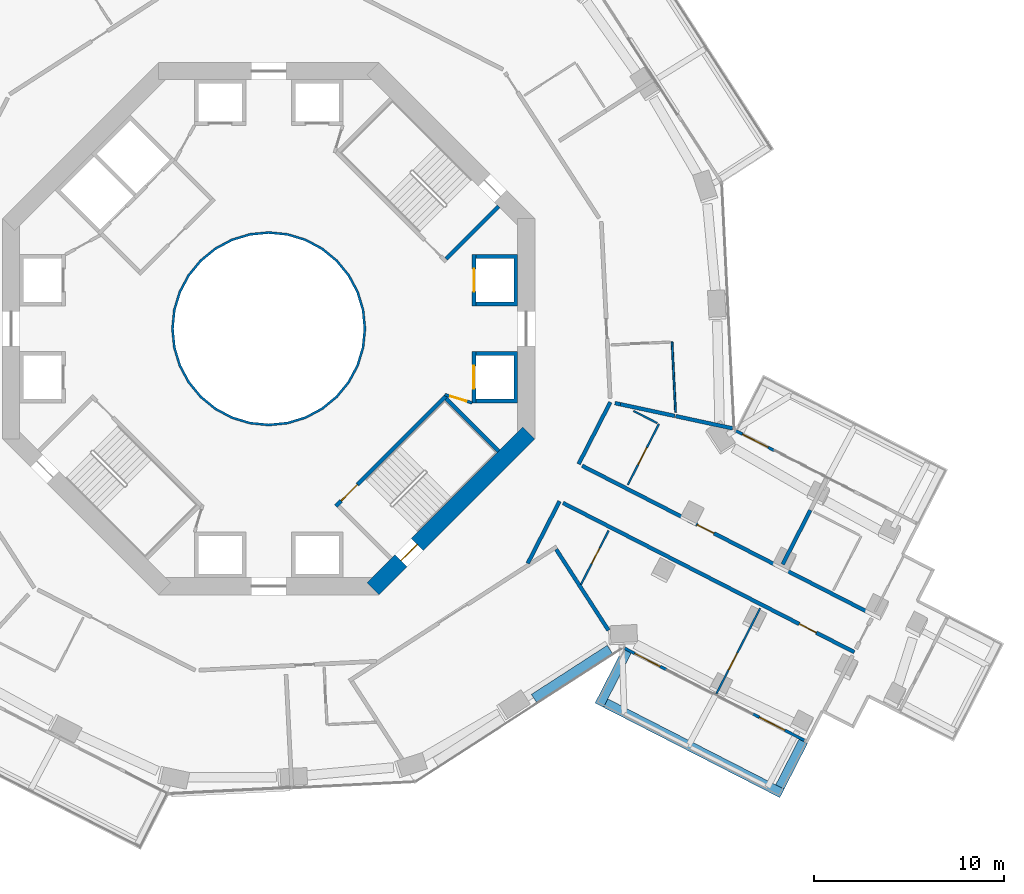
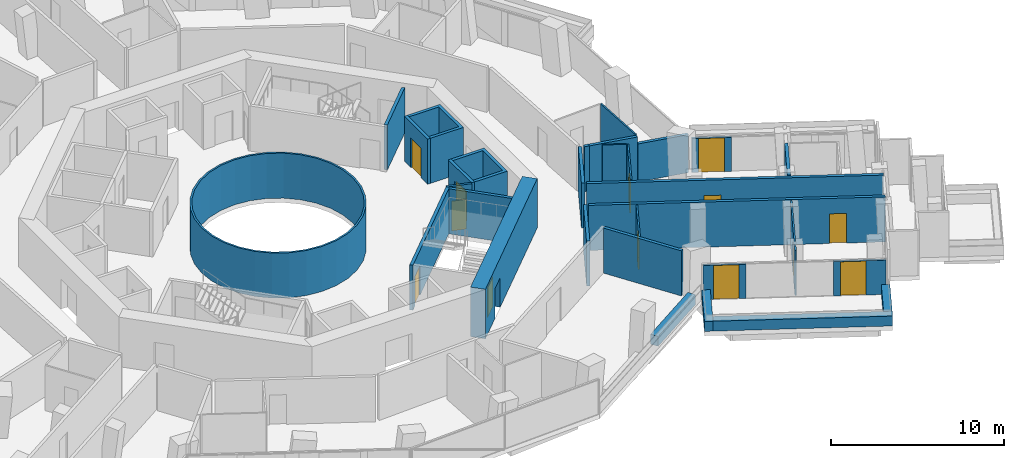
# One storey, part 19 of 25: 31 walls, 13 doors, 13 openings.
"""IFC4 building model written with IfcOpenShell, lengths in metres."""

from ifc_helpers import new_model, si_unit, direction, frame, frame_2d, origin, place, context, subcontext, project, spatial, polyline, rectangle, outline, extrude, material, layer, layer_set, type_object, element, fill, save


model = new_model("IFC4")

# Units and contexts
model_context = context("Model", 3, precision=1e-05, world=origin(), true_north=direction((0.0, 1.0)))
body_context = subcontext(model_context, "Body", "Model", "MODEL_VIEW")
ifc_project = project(units=[si_unit("LENGTHUNIT", "METRE"), si_unit("AREAUNIT", "SQUARE_METRE"), si_unit("VOLUMEUNIT", "CUBIC_METRE"), si_unit("PLANEANGLEUNIT", "RADIAN"), si_unit("MASSUNIT", "GRAM", prefix="KILO")], contexts=[model_context])

# Site, building, storey
site_placement = place(None, origin())
site = spatial("IfcSite", under=ifc_project, at=site_placement, CompositionType="ELEMENT")
building_placement = place(site_placement, origin())
building = spatial("IfcBuilding", under=site, at=building_placement, Name="Verdalira Terraces Hotel", CompositionType="ELEMENT")
storey_placement = place(building_placement, frame((0.0, 0.0, 46.0)))
storey = spatial("IfcBuildingStorey", under=building, at=storey_placement, Name="L09", CompositionType="ELEMENT", Elevation=46.0)

# Walls
ifc_material_1 = material(Name="Fire-resisting glass EI 180", Category="glass")
ifc_layer_1 = layer(ifc_material_1, 0.1201171875)
ifc_layer_set_1 = layer_set([ifc_layer_1], Name="Atrium fire screen 120 mm")
wall_type_1 = type_object("IfcWallType", Name="Atrium fire screen 120 mm", PredefinedType="SOLIDWALL", material=ifc_layer_set_1)
wall_1_placement = place(storey_placement, origin())
element("IfcWall", 1, at=wall_1_placement, inside=storey, type_object=wall_type_1, Name="Atrium fire screen", PredefinedType="SOLIDWALL", context=body_context, shape_type="SweptSolid", body=[
    extrude(outline(polyline([(5.021484, -0.998779), (4.730225, -1.959229), (4.25708, -2.844482), (3.620361, -3.620361), (2.844482, -4.25708), (1.959229, -4.730225), (0.998779, -5.021484), (0.0, -5.120117), (-0.998779, -5.021484), (-1.959229, -4.730225), (-2.844482, -4.25708), (-3.620361, -3.620361), (-4.25708, -2.844482), (-4.730225, -1.959229), (-5.021484, -0.998779), (-5.120117, 0.0), (-5.021484, 0.998779), (-4.730225, 1.959229), (-4.25708, 2.844482), (-3.620361, 3.620361), (-2.844482, 4.25708), (-1.959229, 4.730225), (-0.998779, 5.021484), (0.0, 5.120117), (0.998779, 5.021484), (1.959229, 4.730225), (2.844482, 4.25708), (3.620361, 3.620361), (4.25708, 2.844482), (4.730225, 1.959229), (5.021484, 0.998779), (5.120117, 0.0), (5.021484, -0.998779)]), holes=[polyline([(4.903809, 0.975586), (4.619385, 1.91333), (4.157227, 2.777832), (3.5354, 3.5354), (2.777832, 4.157227), (1.91333, 4.619385), (0.975586, 4.903809), (0.0, 5.0), (-0.975586, 4.903809), (-1.91333, 4.619385), (-2.777832, 4.157227), (-3.5354, 3.5354), (-4.157227, 2.777832), (-4.619385, 1.91333), (-4.903809, 0.975586), (-5.0, 0.0), (-4.903809, -0.975586), (-4.619385, -1.91333), (-4.157227, -2.777832), (-3.5354, -3.5354), (-2.777832, -4.157227), (-1.91333, -4.619385), (-0.975586, -4.903809), (0.0, -5.0), (0.975586, -4.903809), (1.91333, -4.619385), (2.777832, -4.157227), (3.5354, -3.5354), (4.157227, -2.777832), (4.619385, -1.91333), (4.903809, -0.975586), (5.0, 0.0), (4.903809, 0.975586)])]), origin(), (0.0, 0.0, 1.0), 3.189941),
])
ifc_material_2 = material(Name="Concrete C40", Category="concrete")
ifc_layer_2 = layer(ifc_material_2, 0.5)
ifc_layer_set_2 = layer_set([ifc_layer_2], Name="Balcony planter trough with tree")
wall_type_2 = type_object("IfcWallType", Name="Balcony planter trough with tree", PredefinedType="SOLIDWALL", material=ifc_layer_set_2)
wall_2_placement = place(storey_placement, frame((18.850098, -16.958496, 0.0), z_axis=(0.0, 0.0, 1.0), x_axis=(-0.455862598, -0.890050162, 0.0)))
element("IfcWall", 2, at=wall_2_placement, inside=storey, type_object=wall_type_2, Name="Balcony planter", PredefinedType="SOLIDWALL", context=body_context, shape_type="SweptSolid", body=[
    extrude(rectangle(XDim=3.198975, YDim=0.5, at=frame_2d((1.599609, 0.0))), origin(), (0.0, 0.0, 1.0), 0.699951),
])
wall_3_placement = place(storey_placement, frame((17.728516, -19.697266, 0.0), z_axis=(0.0, 0.0, 1.0), x_axis=(0.890055422, -0.455852329, 0.0)))
element("IfcWall", 3, at=wall_3_placement, inside=storey, type_object=wall_type_2, Name="Balcony planter", PredefinedType="SOLIDWALL", context=body_context, shape_type="SweptSolid", body=[
    extrude(rectangle(XDim=10.419922, YDim=0.5, at=frame_2d((5.209961, 0.0))), origin(), (0.0, 0.0, 1.0), 0.699951),
])
wall_4_placement = place(storey_placement, frame((26.894287, -24.11084, 0.0), z_axis=(0.0, 0.0, 1.0), x_axis=(0.45587587, 0.890043365, 0.0)))
element("IfcWall", 4, at=wall_4_placement, inside=storey, type_object=wall_type_2, Name="Balcony planter", PredefinedType="SOLIDWALL", context=body_context, shape_type="SweptSolid", body=[
    extrude(rectangle(XDim=2.699219, YDim=0.5, at=frame_2d((1.349609, 0.0))), origin(), (0.0, 0.0, 1.0), 0.699951),
])

# Wall, opening, door
ifc_material_3 = material(Name="Moisture-resistant gypsum board partition")
ifc_layer_3 = layer(ifc_material_3, 0.10009765625)
ifc_layer_set_3 = layer_set([ifc_layer_3], Name="Bathroom partition 100 mm")
wall_type_3 = type_object("IfcWallType", Name="Bathroom partition 100 mm", PredefinedType="PARTITIONING", material=ifc_layer_set_3)
wall_5_placement = place(storey_placement, frame((16.425049, -13.467285, 0.0), z_axis=(0.0, 0.0, 1.0), x_axis=(0.455831634, 0.890066021, 0.0)))
wall_5 = element("IfcWall", 5, at=wall_5_placement, inside=storey, type_object=wall_type_3, Name="Bathroom partition", PredefinedType="PARTITIONING", context=body_context, shape_type="SweptSolid", body=[
    extrude(rectangle(XDim=3.199219, YDim=0.100098, at=frame_2d((1.599609, 0.0))), origin(), (0.0, 0.0, 1.0), 3.189941),
])
opening_1_placement = place(wall_5_placement, frame((1.25, 0.0, 0.0)))
opening_1 = element("IfcOpeningElement", 6, at=opening_1_placement, cuts=wall_5, Name="Opening L09-123", PredefinedType="OPENING", context=body_context, shape_type="SweptSolid", body=[
    extrude(rectangle(XDim=0.899902, YDim=2.100098, at=frame_2d((0.449951, 1.050049))), frame((0.0, 0.060059, 0.0), z_axis=(0.0, -1.0, 0.0), x_axis=(1.0, 0.0, 0.0)), (0.0, 0.0, 1.0), 0.120117),
])
ifc_material_4 = material(Name="Timber door", Category="wood")
door_type_1 = type_object("IfcDoorType", Name="Bathroom door 900 x 2100", OperationType="NOTDEFINED", PredefinedType="DOOR", material=ifc_material_4)
door_1_placement = place(opening_1_placement, origin())
door_1 = element("IfcDoor", 7, at=door_1_placement, inside=storey, type_object=door_type_1, Name="Bathroom door 0911", OperationType="SINGLE_SWING_LEFT", OverallHeight=2.10009765625, OverallWidth=0.89990234375, PredefinedType="DOOR", context=body_context, shape_type="SweptSolid", body=[
    extrude(rectangle(XDim=0.899902, YDim=2.100098, at=frame_2d((0.449951, 1.050049))), frame((0.0, 0.024902, 0.0), z_axis=(0.0, -1.0, 0.0), x_axis=(1.0, 0.0, 0.0)), (0.0, 0.0, 1.0), 0.050049),
])
fill(opening_1, door_1)

wall_6_placement = place(storey_placement, frame((18.890625, -8.2146, 0.0), z_axis=(0.0, 0.0, 1.0), x_axis=(0.455873249, 0.890044707, 0.0)))
wall_6 = element("IfcWall", 8, at=wall_6_placement, inside=storey, type_object=wall_type_3, Name="Bathroom partition", PredefinedType="PARTITIONING", context=body_context, shape_type="SweptSolid", body=[
    extrude(rectangle(XDim=3.599854, YDim=0.100098, at=frame_2d((1.799805, 0.0))), origin(), (0.0, 0.0, 1.0), 3.189941),
])
opening_2_placement = place(wall_6_placement, frame((1.199951, 0.0, 0.0)))
opening_2 = element("IfcOpeningElement", 9, at=opening_2_placement, cuts=wall_6, Name="Opening L09-128", PredefinedType="OPENING", context=body_context, shape_type="SweptSolid", body=[
    extrude(rectangle(XDim=1.0, YDim=2.100098, at=frame_2d((0.5, 1.050049))), frame((0.0, 0.060059, 0.0), z_axis=(0.0, -1.0, 0.0), x_axis=(1.0, 0.0, 0.0)), (0.0, 0.0, 1.0), 0.120117),
])
ifc_material_5 = material(Name="Timber door", Category="wood")
door_type_2 = type_object("IfcDoorType", Name="Bathroom door 1000 x 2100", OperationType="NOTDEFINED", PredefinedType="DOOR", material=ifc_material_5)
door_2_placement = place(opening_2_placement, origin())
door_2 = element("IfcDoor", 10, at=door_2_placement, inside=storey, type_object=door_type_2, Name="Bathroom door 0913", OperationType="SINGLE_SWING_RIGHT", OverallHeight=2.10009765625, OverallWidth=1.0, PredefinedType="DOOR", context=body_context, shape_type="SweptSolid", body=[
    extrude(rectangle(XDim=1.0, YDim=2.100098, at=frame_2d((0.5, 1.050049))), frame((0.0, 0.024902, 0.0), z_axis=(0.0, -1.0, 0.0), x_axis=(1.0, 0.0, 0.0)), (0.0, 0.0, 1.0), 0.050049),
])
fill(opening_2, door_2)

# Walls
wall_7_placement = place(storey_placement, frame((19.197998, -4.327148, 0.0), z_axis=(0.0, 0.0, 1.0), x_axis=(0.889984617, -0.455990549, 0.0)))
element("IfcWall", 11, at=wall_7_placement, inside=storey, type_object=wall_type_3, Name="Bathroom partition", PredefinedType="PARTITIONING", context=body_context, shape_type="SweptSolid", body=[
    extrude(rectangle(XDim=1.398438, YDim=0.100098, at=frame_2d((0.699219, 0.0))), origin(), (0.0, 0.0, 1.0), 3.189941),
])
wall_8_placement = place(storey_placement, frame((21.219971, -0.693115, 0.0), z_axis=(0.0, 0.0, 1.0), x_axis=(0.050226916, -0.998737832, 0.0)))
element("IfcWall", 12, at=wall_8_placement, inside=storey, type_object=wall_type_3, Name="Bathroom partition", PredefinedType="PARTITIONING", context=body_context, shape_type="SweptSolid", body=[
    extrude(rectangle(XDim=3.703857, YDim=0.100098, at=frame_2d((1.852051, 0.0))), origin(), (0.0, 0.0, 1.0), 3.189941),
])

# Wall, opening, door
wall_9_placement = place(storey_placement, frame((23.556396, -19.199219, 0.0), z_axis=(0.0, 0.0, 1.0), x_axis=(0.455836638, 0.890063458, 0.0)))
wall_9 = element("IfcWall", 13, at=wall_9_placement, inside=storey, type_object=wall_type_3, Name="Bathroom partition", PredefinedType="PARTITIONING", context=body_context, shape_type="SweptSolid", body=[
    extrude(rectangle(XDim=5.050049, YDim=0.100098, at=frame_2d((2.524902, 0.0))), origin(), (0.0, 0.0, 1.0), 3.189941),
])
opening_3_placement = place(wall_9_placement, frame((1.399902, 0.0, 0.0)))
opening_3 = element("IfcOpeningElement", 14, at=opening_3_placement, cuts=wall_9, Name="Opening L09-122", PredefinedType="OPENING", context=body_context, shape_type="SweptSolid", body=[
    extrude(rectangle(XDim=1.0, YDim=2.100098, at=frame_2d((0.5, 1.050049))), frame((0.0, 0.060059, 0.0), z_axis=(0.0, -1.0, 0.0), x_axis=(1.0, 0.0, 0.0)), (0.0, 0.0, 1.0), 0.120117),
])
ifc_material_6 = material(Name="Timber door", Category="wood")
door_type_3 = type_object("IfcDoorType", Name="Suite internal door 1000 x 2100", OperationType="NOTDEFINED", PredefinedType="DOOR", material=ifc_material_6)
door_3_placement = place(opening_3_placement, origin())
door_3 = element("IfcDoor", 15, at=door_3_placement, inside=storey, type_object=door_type_3, Name="Suite internal door 0911", OperationType="SINGLE_SWING_LEFT", OverallHeight=2.10009765625, OverallWidth=1.0, PredefinedType="DOOR", context=body_context, shape_type="SweptSolid", body=[
    extrude(rectangle(XDim=1.0, YDim=2.100098, at=frame_2d((0.5, 1.050049))), frame((0.0, 0.024902, 0.0), z_axis=(0.0, -1.0, 0.0), x_axis=(1.0, 0.0, 0.0)), (0.0, 0.0, 1.0), 0.050049),
])
fill(opening_3, door_3)

# Wall
ifc_material_7 = material(Name="Concrete C50", Category="concrete")
ifc_layer_4 = layer(ifc_material_7, 0.199951171875)
ifc_layer_set_4 = layer_set([ifc_layer_4], Name="Core RC wall 200 C50")
wall_type_4 = type_object("IfcWallType", Name="Core RC wall 200 C50", PredefinedType="SOLIDWALL", material=ifc_layer_set_4)
wall_10_placement = place(storey_placement, origin())
element("IfcWall", 16, at=wall_10_placement, inside=storey, type_object=wall_type_4, Name="L09 shaft wall E1", PredefinedType="SOLIDWALL", context=body_context, shape_type="SweptSolid", body=[
    extrude(outline(polyline([(13.100098, -3.899902), (10.899902, -3.899902), (10.899902, -3.699951), (12.899902, -3.699951), (12.899902, -1.399902), (10.899902, -1.399902), (10.899902, -1.199951), (13.100098, -1.199951), (13.100098, -3.899902)])), origin(), (0.0, 0.0, 1.0), 3.189941),
])

# Wall, opening, door
wall_11_placement = place(storey_placement, frame((10.800049, -1.199951, 0.0), z_axis=(0.0, 0.0, 1.0), x_axis=(0.0, -1.0, 0.0)))
wall_11 = element("IfcWall", 17, at=wall_11_placement, inside=storey, type_object=wall_type_4, Name="L09 shaft front wall E1", PredefinedType="SOLIDWALL", context=body_context, shape_type="SweptSolid", body=[
    extrude(rectangle(XDim=2.699951, YDim=0.199951, at=frame_2d((1.350098, 0.0))), origin(), (0.0, 0.0, 1.0), 3.189941),
])
opening_4_placement = place(wall_11_placement, frame((0.75, 0.0, 0.0)))
opening_4 = element("IfcOpeningElement", 18, at=opening_4_placement, cuts=wall_11, Name="Opening LD-L09-801", PredefinedType="OPENING", context=body_context, shape_type="SweptSolid", body=[
    extrude(rectangle(XDim=1.199951, YDim=2.100098, at=frame_2d((0.600098, 1.050049))), frame((0.0, 0.109863, 0.0), z_axis=(0.0, -1.0, 0.0), x_axis=(1.0, 0.0, 0.0)), (0.0, 0.0, 1.0), 0.219971),
])
ifc_material_8 = material(Name="Stainless steel", Category="steel")
door_type_4 = type_object("IfcDoorType", Name="Landing door 1200 x 2100", OperationType="NOTDEFINED", PredefinedType="DOOR", material=ifc_material_8)
door_4_placement = place(opening_4_placement, origin())
door_4 = element("IfcDoor", 19, at=door_4_placement, inside=storey, type_object=door_type_4, Name="Lift landing door LR1 L09", OperationType="DOUBLE_DOOR_SLIDING", OverallHeight=2.10009765625, OverallWidth=1.199951171875, PredefinedType="DOOR", context=body_context, shape_type="SweptSolid", body=[
    extrude(rectangle(XDim=1.199951, YDim=2.100098, at=frame_2d((0.600098, 1.050049))), frame((0.0, 0.024902, 0.0), z_axis=(0.0, -1.0, 0.0), x_axis=(1.0, 0.0, 0.0)), (0.0, 0.0, 1.0), 0.050049),
])
fill(opening_4, door_4)

# Wall
wall_12_placement = place(storey_placement, origin())
element("IfcWall", 20, at=wall_12_placement, inside=storey, type_object=wall_type_4, Name="L09 shaft wall E2", PredefinedType="SOLIDWALL", context=body_context, shape_type="SweptSolid", body=[
    extrude(outline(polyline([(13.100098, 3.899902), (13.100098, 1.199951), (10.899902, 1.199951), (10.899902, 1.399902), (12.899902, 1.399902), (12.899902, 3.699951), (10.899902, 3.699951), (10.899902, 3.899902), (13.100098, 3.899902)])), origin(), (0.0, 0.0, 1.0), 3.189941),
])

# Wall, opening, door
wall_13_placement = place(storey_placement, frame((10.800049, 1.199951, 0.0), z_axis=(0.0, 0.0, 1.0), x_axis=(0.0, 1.0, 0.0)))
wall_13 = element("IfcWall", 21, at=wall_13_placement, inside=storey, type_object=wall_type_4, Name="L09 shaft front wall E2", PredefinedType="SOLIDWALL", context=body_context, shape_type="SweptSolid", body=[
    extrude(rectangle(XDim=2.699951, YDim=0.199951, at=frame_2d((1.350098, 0.0))), origin(), (0.0, 0.0, 1.0), 3.189941),
])
opening_5_placement = place(wall_13_placement, frame((0.75, 0.0, 0.0)))
opening_5 = element("IfcOpeningElement", 22, at=opening_5_placement, cuts=wall_13, Name="Opening LD-L09-802", PredefinedType="OPENING", context=body_context, shape_type="SweptSolid", body=[
    extrude(rectangle(XDim=1.199951, YDim=2.100098, at=frame_2d((0.600098, 1.050049))), frame((0.0, 0.109863, 0.0), z_axis=(0.0, -1.0, 0.0), x_axis=(1.0, 0.0, 0.0)), (0.0, 0.0, 1.0), 0.219971),
])
door_5_placement = place(opening_5_placement, origin())
door_5 = element("IfcDoor", 23, at=door_5_placement, inside=storey, type_object=door_type_4, Name="Lift landing door LR2 L09", OperationType="DOUBLE_DOOR_SLIDING", OverallHeight=2.10009765625, OverallWidth=1.199951171875, PredefinedType="DOOR", context=body_context, shape_type="SweptSolid", body=[
    extrude(rectangle(XDim=1.199951, YDim=2.100098, at=frame_2d((0.600098, 1.050049))), frame((0.0, 0.024902, 0.0), z_axis=(0.0, -1.0, 0.0), x_axis=(1.0, 0.0, 0.0)), (0.0, 0.0, 1.0), 0.050049),
])
fill(opening_5, door_5)

# Wall
wall_14_placement = place(storey_placement, frame((9.33374, 3.677002, 0.0), z_axis=(0.0, 0.0, 1.0), x_axis=(0.707106781, 0.707106781, 0.0)))
element("IfcWall", 24, at=wall_14_placement, inside=storey, type_object=wall_type_4, Name="L09 stair ST1 end wall 1", PredefinedType="SOLIDWALL", context=body_context, shape_type="SweptSolid", body=[
    extrude(rectangle(XDim=3.900146, YDim=0.199951, at=frame_2d((1.950195, 0.0))), origin(), (0.0, 0.0, 1.0), 3.189941),
])

# Wall, opening, door
wall_15_placement = place(storey_placement, frame((9.33374, -3.5354, 0.0), z_axis=(0.0, 0.0, 1.0), x_axis=(-0.707106781, -0.707106781, 0.0)))
wall_15 = element("IfcWall", 25, at=wall_15_placement, inside=storey, type_object=wall_type_4, Name="L09 stair ST3 front wall", PredefinedType="SOLIDWALL", context=body_context, shape_type="SweptSolid", body=[
    extrude(rectangle(XDim=8.200195, YDim=0.199951, at=frame_2d((4.100098, 0.0))), origin(), (0.0, 0.0, 1.0), 3.189941),
])
opening_6_placement = place(wall_15_placement, frame((6.600098, 0.0, 0.0)))
opening_6 = element("IfcOpeningElement", 26, at=opening_6_placement, cuts=wall_15, Name="Opening L09-811", PredefinedType="OPENING", context=body_context, shape_type="SweptSolid", body=[
    extrude(rectangle(XDim=1.199951, YDim=2.100098, at=frame_2d((0.600098, 1.050049))), frame((0.0, 0.109863, 0.0), z_axis=(0.0, -1.0, 0.0), x_axis=(1.0, 0.0, 0.0)), (0.0, 0.0, 1.0), 0.219971),
])
ifc_material_9 = material(Name="Steel fire door", Category="steel")
door_type_5 = type_object("IfcDoorType", Name="Stair door 1200 x 2100", OperationType="NOTDEFINED", PredefinedType="DOOR", material=ifc_material_9)
door_6_placement = place(opening_6_placement, origin())
door_6 = element("IfcDoor", 27, at=door_6_placement, inside=storey, type_object=door_type_5, Name="Stair door ST3 L09", OperationType="SINGLE_SWING_RIGHT", OverallHeight=2.10009765625, OverallWidth=1.199951171875, PredefinedType="DOOR", context=body_context, shape_type="SweptSolid", body=[
    extrude(rectangle(XDim=1.199951, YDim=2.100098, at=frame_2d((0.600098, 1.050049))), frame((0.0, 0.024902, 0.0), z_axis=(0.0, -1.0, 0.0), x_axis=(1.0, 0.0, 0.0)), (0.0, 0.0, 1.0), 0.050049),
])
fill(opening_6, door_6)

# Wall
wall_16_placement = place(storey_placement, frame((9.33374, -3.677002, 0.0), z_axis=(0.0, 0.0, 1.0), x_axis=(0.707106781, -0.707106781, 0.0)))
element("IfcWall", 28, at=wall_16_placement, inside=storey, type_object=wall_type_4, Name="L09 stair ST3 end wall 2", PredefinedType="SOLIDWALL", context=body_context, shape_type="SweptSolid", body=[
    extrude(rectangle(XDim=3.900146, YDim=0.199951, at=frame_2d((1.950195, 0.0))), origin(), (0.0, 0.0, 1.0), 3.189941),
])

# Wall, opening, door
ifc_material_10 = material(Name="Gypsum board partition")
ifc_layer_5 = layer(ifc_material_10, 0.14990234375)
ifc_layer_set_5 = layer_set([ifc_layer_5], Name="Core partition 150 mm")
wall_type_5 = type_object("IfcWallType", Name="Core partition 150 mm", PredefinedType="PARTITIONING", material=ifc_layer_set_5)
wall_17_placement = place(storey_placement, frame((9.263184, -3.464844, 0.0), z_axis=(0.0, 0.0, 1.0), x_axis=(0.957084567, -0.289808785, 0.0)))
wall_17 = element("IfcWall", 29, at=wall_17_placement, inside=storey, type_object=wall_type_5, Name="Room partition L09", PredefinedType="PARTITIONING", context=body_context, shape_type="SweptSolid", body=[
    extrude(rectangle(XDim=1.501221, YDim=0.149902, at=frame_2d((0.750488, 0.0))), origin(), (0.0, 0.0, 1.0), 3.189941),
])
opening_7_placement = place(wall_17_placement, frame((0.300781, 0.0, 0.0)))
opening_7 = element("IfcOpeningElement", 30, at=opening_7_placement, cuts=wall_17, Name="Opening L09-824", PredefinedType="OPENING", context=body_context, shape_type="SweptSolid", body=[
    extrude(rectangle(XDim=0.899902, YDim=2.100098, at=frame_2d((0.449951, 1.050049))), frame((0.0, 0.084961, 0.0), z_axis=(0.0, -1.0, 0.0), x_axis=(1.0, 0.0, 0.0)), (0.0, 0.0, 1.0), 0.169922),
])
ifc_material_11 = material(Name="Steel fire door", Category="steel")
door_type_6 = type_object("IfcDoorType", Name="Core room door 900 x 2100", OperationType="NOTDEFINED", PredefinedType="DOOR", material=ifc_material_11)
door_7_placement = place(opening_7_placement, origin())
door_7 = element("IfcDoor", 31, at=door_7_placement, inside=storey, type_object=door_type_6, Name="Door L09 room7", OperationType="SINGLE_SWING_LEFT", OverallHeight=2.10009765625, OverallWidth=0.89990234375, PredefinedType="DOOR", context=body_context, shape_type="SweptSolid", body=[
    extrude(rectangle(XDim=0.899902, YDim=2.100098, at=frame_2d((0.449951, 1.050049))), frame((0.0, 0.024902, 0.0), z_axis=(0.0, -1.0, 0.0), x_axis=(1.0, 0.0, 0.0)), (0.0, 0.0, 1.0), 0.050049),
])
fill(opening_7, door_7)

ifc_material_12 = material(Name="Concrete C70", Category="concrete")
ifc_layer_6 = layer(ifc_material_12, 0.89990234375)
ifc_layer_set_6 = layer_set([ifc_layer_6], Name="Core wall 900 C70")
wall_type_6 = type_object("IfcWallType", Name="Core wall 900 C70", PredefinedType="SHEAR", material=ifc_layer_set_6)
wall_18_placement = place(storey_placement, frame((5.480713, -13.681885, 0.0), z_axis=(0.0, 0.0, 1.0), x_axis=(0.707106781, 0.707106781, 0.0)))
wall_18 = element("IfcWall", 32, at=wall_18_placement, inside=storey, type_object=wall_type_6, Name="Core wall CW-L09-8", PredefinedType="SHEAR", context=body_context, shape_type="SweptSolid", body=[
    extrude(rectangle(XDim=11.598145, YDim=0.899902, at=frame_2d((5.799072, 0.0))), origin(), (0.0, 0.0, 1.0), 3.5),
])
opening_8_placement = place(wall_18_placement, frame((2.099121, 0.0, 0.0)))
opening_8 = element("IfcOpeningElement", 33, at=opening_8_placement, cuts=wall_18, Name="Opening L09-818", PredefinedType="OPENING", context=body_context, shape_type="SweptSolid", body=[
    extrude(rectangle(XDim=1.199951, YDim=2.100098, at=frame_2d((0.600098, 1.050049))), frame((0.0, 0.459961, 0.0), z_axis=(0.0, -1.0, 0.0), x_axis=(1.0, 0.0, 0.0)), (0.0, 0.0, 1.0), 0.919922),
])
door_8_placement = place(opening_8_placement, origin())
door_8 = element("IfcDoor", 34, at=door_8_placement, inside=storey, type_object=door_type_5, Name="Stair exit door ST3 L09", OperationType="SINGLE_SWING_LEFT", OverallHeight=2.10009765625, OverallWidth=1.199951171875, PredefinedType="DOOR", context=body_context, shape_type="SweptSolid", body=[
    extrude(rectangle(XDim=1.199951, YDim=2.100098, at=frame_2d((0.600098, 1.050049))), frame((0.0, 0.024902, 0.0), z_axis=(0.0, -1.0, 0.0), x_axis=(1.0, 0.0, 0.0)), (0.0, 0.0, 1.0), 0.050049),
])
fill(opening_8, door_8)

# Walls
ifc_material_13 = material(Name="Fire-rated gypsum board wall")
ifc_layer_7 = layer(ifc_material_13, 0.199951171875)
ifc_layer_set_7 = layer_set([ifc_layer_7], Name="Demising wall 200 mm")
wall_type_7 = type_object("IfcWallType", Name="Demising wall 200 mm", PredefinedType="SOLIDWALL", material=ifc_layer_set_7)
wall_19_placement = place(storey_placement, frame((18.21582, -3.911865, 0.0), z_axis=(0.0, 0.0, 1.0), x_axis=(0.977671617, -0.210138547, 0.0)))
element("IfcWall", 35, at=wall_19_placement, inside=storey, type_object=wall_type_7, Name="Demising wall", PredefinedType="SOLIDWALL", context=body_context, shape_type="SweptSolid", body=[
    extrude(rectangle(XDim=0.301025, YDim=0.199951, at=frame_2d((0.150391, 0.0))), origin(), (0.0, 0.0, 1.0), 3.189941),
])
wall_20_placement = place(storey_placement, frame((18.51001, -3.975098, 0.0), z_axis=(0.0, 0.0, 1.0), x_axis=(0.977711921, -0.209950946, 0.0)))
element("IfcWall", 36, at=wall_20_placement, inside=storey, type_object=wall_type_7, Name="Demising wall", PredefinedType="SOLIDWALL", context=body_context, shape_type="SweptSolid", body=[
    extrude(rectangle(XDim=2.924561, YDim=0.199951, at=frame_2d((1.462402, 0.0))), origin(), (0.0, 0.0, 1.0), 3.189941),
])
wall_21_placement = place(storey_placement, frame((27.043701, -12.390137, 0.0), z_axis=(0.0, 0.0, 1.0), x_axis=(0.455799211, 0.890082625, 0.0)))
element("IfcWall", 37, at=wall_21_placement, inside=storey, type_object=wall_type_7, Name="Demising wall", PredefinedType="SOLIDWALL", context=body_context, shape_type="SweptSolid", body=[
    extrude(rectangle(XDim=3.199951, YDim=0.199951, at=frame_2d((1.600098, 0.0))), origin(), (0.0, 0.0, 1.0), 3.189941),
])
ifc_material_14 = material(Name="Fire-rated gypsum board wall")
ifc_layer_8 = layer(ifc_material_14, 0.199951171875)
ifc_layer_set_8 = layer_set([ifc_layer_8], Name="Demising wall 200 mm to beam soffit")
wall_type_8 = type_object("IfcWallType", Name="Demising wall 200 mm to beam soffit", PredefinedType="SOLIDWALL", material=ifc_layer_set_8)
wall_22_placement = place(storey_placement, frame((21.414307, -4.598633, 0.0), z_axis=(0.0, 0.0, 1.0), x_axis=(0.977710131, -0.209959283, 0.0)))
element("IfcWall", 38, at=wall_22_placement, inside=storey, type_object=wall_type_8, Name="Demising wall", PredefinedType="SOLIDWALL", context=body_context, shape_type="SweptSolid", body=[
    extrude(rectangle(XDim=3.061768, YDim=0.199951, at=frame_2d((1.530762, 0.0))), origin(), (0.0, 0.0, 1.0), 2.689941),
])
ifc_material_15 = material(Name="Fire-rated gypsum board wall")
ifc_layer_9 = layer(ifc_material_15, 0.199951171875)
ifc_layer_set_9 = layer_set([ifc_layer_9], Name="Guest corridor wall 200 mm")
wall_type_9 = type_object("IfcWallType", Name="Guest corridor wall 200 mm", PredefinedType="SOLIDWALL", material=ifc_layer_set_9)
wall_23_placement = place(storey_placement, frame((13.627686, -12.348145, 0.0), z_axis=(0.0, 0.0, 1.0), x_axis=(0.455847656, 0.890057815, 0.0)))
element("IfcWall", 39, at=wall_23_placement, inside=storey, type_object=wall_type_9, Name="Guest corridor wall", PredefinedType="SOLIDWALL", context=body_context, shape_type="SweptSolid", body=[
    extrude(rectangle(XDim=3.678223, YDim=0.199951, at=frame_2d((1.839111, 0.0))), origin(), (0.0, 0.0, 1.0), 3.189941),
])
wall_24_placement = place(storey_placement, frame((16.307373, -7.116211, 0.0), z_axis=(0.0, 0.0, 1.0), x_axis=(0.455868133, 0.890047327, 0.0)))
element("IfcWall", 40, at=wall_24_placement, inside=storey, type_object=wall_type_9, Name="Guest corridor wall", PredefinedType="SOLIDWALL", context=body_context, shape_type="SweptSolid", body=[
    extrude(rectangle(XDim=3.658447, YDim=0.199951, at=frame_2d((1.829102, 0.0))), origin(), (0.0, 0.0, 1.0), 3.189941),
])

# Wall, opening, door
wall_25_placement = place(storey_placement, frame((30.809326, -17.015381, 0.0), z_axis=(0.0, 0.0, 1.0), x_axis=(-0.890055431, 0.455852312, 0.0)))
wall_25 = element("IfcWall", 41, at=wall_25_placement, inside=storey, type_object=wall_type_9, Name="Guest corridor wall", PredefinedType="SOLIDWALL", context=body_context, shape_type="SweptSolid", body=[
    extrude(rectangle(XDim=17.220215, YDim=0.199951, at=frame_2d((8.610107, 0.0))), origin(), (0.0, 0.0, 1.0), 3.189941),
])
opening_9_placement = place(wall_25_placement, frame((2.25, 0.0, 0.0)))
opening_9 = element("IfcOpeningElement", 42, at=opening_9_placement, cuts=wall_25, Name="Opening L09-121", PredefinedType="OPENING", context=body_context, shape_type="SweptSolid", body=[
    extrude(rectangle(XDim=1.0, YDim=2.100098, at=frame_2d((0.5, 1.050049))), frame((0.0, 0.109863, 0.0), z_axis=(0.0, -1.0, 0.0), x_axis=(1.0, 0.0, 0.0)), (0.0, 0.0, 1.0), 0.219971),
])
ifc_material_16 = material(Name="Timber fire door", Category="wood")
door_type_7 = type_object("IfcDoorType", Name="Guest entry door 1000 x 2100", OperationType="NOTDEFINED", PredefinedType="DOOR", material=ifc_material_16)
door_9_placement = place(opening_9_placement, origin())
door_9 = element("IfcDoor", 43, at=door_9_placement, inside=storey, type_object=door_type_7, Name="Guest entry door 0911", OperationType="SINGLE_SWING_LEFT", OverallHeight=2.10009765625, OverallWidth=1.0, PredefinedType="DOOR", context=body_context, shape_type="SweptSolid", body=[
    extrude(rectangle(XDim=1.0, YDim=2.100098, at=frame_2d((0.5, 1.050049))), frame((0.0, 0.024902, 0.0), z_axis=(0.0, -1.0, 0.0), x_axis=(1.0, 0.0, 0.0)), (0.0, 0.0, 1.0), 0.050049),
])
fill(opening_9, door_9)

wall_26_placement = place(storey_placement, frame((16.485352, -7.207275, 0.0), z_axis=(0.0, 0.0, 1.0), x_axis=(0.890049679, -0.455863543, 0.0)))
wall_26 = element("IfcWall", 44, at=wall_26_placement, inside=storey, type_object=wall_type_9, Name="Guest corridor wall", PredefinedType="SOLIDWALL", context=body_context, shape_type="SweptSolid", body=[
    extrude(rectangle(XDim=17.220215, YDim=0.199951, at=frame_2d((8.610107, 0.0))), origin(), (0.0, 0.0, 1.0), 3.189941),
])
opening_10_placement = place(wall_26_placement, frame((6.800049, 0.0, 0.0)))
opening_10 = element("IfcOpeningElement", 45, at=opening_10_placement, cuts=wall_26, Name="Opening L09-127", PredefinedType="OPENING", context=body_context, shape_type="SweptSolid", body=[
    extrude(rectangle(XDim=1.0, YDim=2.100098, at=frame_2d((0.5, 1.050049))), frame((0.0, 0.109863, 0.0), z_axis=(0.0, -1.0, 0.0), x_axis=(1.0, 0.0, 0.0)), (0.0, 0.0, 1.0), 0.219971),
])
door_10_placement = place(opening_10_placement, origin())
door_10 = element("IfcDoor", 46, at=door_10_placement, inside=storey, type_object=door_type_7, Name="Guest entry door 0913", OperationType="SINGLE_SWING_RIGHT", OverallHeight=2.10009765625, OverallWidth=1.0, PredefinedType="DOOR", context=body_context, shape_type="SweptSolid", body=[
    extrude(rectangle(XDim=1.0, YDim=2.100098, at=frame_2d((0.5, 1.050049))), frame((0.0, 0.024902, 0.0), z_axis=(0.0, -1.0, 0.0), x_axis=(1.0, 0.0, 0.0)), (0.0, 0.0, 1.0), 0.050049),
])
fill(opening_10, door_10)

# Walls
ifc_material_17 = material(Name="Terracotta cladding", Category="masonry")
ifc_layer_10 = layer(ifc_material_17, 0.199951171875)
ifc_layer_set_10 = layer_set([ifc_layer_10], Name="Loggia back wall 200")
wall_type_10 = type_object("IfcWallType", Name="Loggia back wall 200", PredefinedType="SOLIDWALL", material=ifc_layer_set_10)
wall_27_placement = place(storey_placement, frame((17.878174, -15.867676, 0.0), z_axis=(0.0, 0.0, 1.0), x_axis=(-0.542884077, 0.839807644, 0.0)))
element("IfcWall", 47, at=wall_27_placement, inside=storey, type_object=wall_type_10, Name="Loggia side wall", PredefinedType="SOLIDWALL", context=body_context, shape_type="SweptSolid", body=[
    extrude(rectangle(XDim=5.073242, YDim=0.199951, at=frame_2d((2.536621, 0.0))), origin(), (0.0, 0.0, 1.0), 3.189941),
])
ifc_material_18 = material(Name="Concrete C40", Category="concrete")
ifc_layer_11 = layer(ifc_material_18, 0.5)
ifc_layer_set_11 = layer_set([ifc_layer_11], Name="Loggia planter trough with tree")
wall_type_11 = type_object("IfcWallType", Name="Loggia planter trough with tree", PredefinedType="SOLIDWALL", material=ifc_layer_set_11)
wall_28_placement = place(storey_placement, frame((13.954102, -19.448486, 0.0), z_axis=(0.0, 0.0, 1.0), x_axis=(0.839796016, 0.542902065, 0.0)))
element("IfcWall", 48, at=wall_28_placement, inside=storey, type_object=wall_type_11, Name="Loggia planter", PredefinedType="SOLIDWALL", context=body_context, shape_type="SweptSolid", body=[
    extrude(rectangle(XDim=4.754639, YDim=0.5, at=frame_2d((2.377441, 0.0))), origin(), (0.0, 0.0, 1.0), 0.699951),
])

# Wall, opening, door
ifc_material_19 = material(Name="Terracotta cladding", Category="masonry")
ifc_layer_12 = layer(ifc_material_19, 0.14990234375)
ifc_layer_set_12 = layer_set([ifc_layer_12], Name="Terracotta door pier 150")
wall_type_12 = type_object("IfcWallType", Name="Terracotta door pier 150", PredefinedType="SOLIDWALL", material=ifc_layer_set_12)
wall_29_placement = place(storey_placement, frame((18.724609, -16.808838, 0.0), z_axis=(0.0, 0.0, 1.0), x_axis=(0.890072335, -0.455819305, 0.0)))
wall_29 = element("IfcWall", 49, at=wall_29_placement, inside=storey, type_object=wall_type_12, Name="Terracotta door pier", PredefinedType="SOLIDWALL", context=body_context, shape_type="SweptSolid", body=[
    extrude(rectangle(XDim=2.501709, YDim=0.149902, at=frame_2d((1.250977, 0.0))), origin(), (0.0, 0.0, 1.0), 2.425049),
])
opening_11_placement = place(wall_29_placement, frame((0.601807, 0.0, 0.0)))
opening_11 = element("IfcOpeningElement", 50, at=opening_11_placement, cuts=wall_29, Name="Opening L09-B12", PredefinedType="OPENING", context=body_context, shape_type="SweptSolid", body=[
    extrude(rectangle(XDim=1.5, YDim=2.399902, at=frame_2d((0.75, 1.199951))), frame((0.0, 0.084961, 0.0), z_axis=(0.0, -1.0, 0.0), x_axis=(1.0, 0.0, 0.0)), (0.0, 0.0, 1.0), 0.169922),
])
ifc_material_20 = material(Name="Clear glass", Category="glass")
door_type_8 = type_object("IfcDoorType", Name="Balcony sliding door 1500x2400", OperationType="NOTDEFINED", PredefinedType="DOOR", material=ifc_material_20)
door_11_placement = place(opening_11_placement, origin())
door_11 = element("IfcDoor", 51, at=door_11_placement, inside=storey, type_object=door_type_8, Name="Balcony sliding door", OperationType="SLIDING_TO_LEFT", OverallHeight=2.39990234375, OverallWidth=1.5, PredefinedType="DOOR", context=body_context, shape_type="SweptSolid", body=[
    extrude(rectangle(XDim=1.5, YDim=2.399902, at=frame_2d((0.75, 1.199951))), frame((0.0, 0.024902, 0.0), z_axis=(0.0, -1.0, 0.0), x_axis=(1.0, 0.0, 0.0)), (0.0, 0.0, 1.0), 0.050049),
])
fill(opening_11, door_11)

wall_30_placement = place(storey_placement, frame((25.460693, -20.258789, 0.0), z_axis=(0.0, 0.0, 1.0), x_axis=(0.89006388, -0.455835815, 0.0)))
wall_30 = element("IfcWall", 52, at=wall_30_placement, inside=storey, type_object=wall_type_12, Name="Terracotta door pier", PredefinedType="SOLIDWALL", context=body_context, shape_type="SweptSolid", body=[
    extrude(rectangle(XDim=3.062012, YDim=0.149902, at=frame_2d((1.531006, 0.0))), origin(), (0.0, 0.0, 1.0), 2.425049),
])
opening_12_placement = place(wall_30_placement, frame((0.399902, 0.0, 0.0)))
opening_12 = element("IfcOpeningElement", 53, at=opening_12_placement, cuts=wall_30, Name="Opening L09-B13", PredefinedType="OPENING", context=body_context, shape_type="SweptSolid", body=[
    extrude(rectangle(XDim=1.5, YDim=2.399902, at=frame_2d((0.75, 1.199951))), frame((0.0, 0.084961, 0.0), z_axis=(0.0, -1.0, 0.0), x_axis=(1.0, 0.0, 0.0)), (0.0, 0.0, 1.0), 0.169922),
])
door_12_placement = place(opening_12_placement, origin())
door_12 = element("IfcDoor", 54, at=door_12_placement, inside=storey, type_object=door_type_8, Name="Balcony sliding door", OperationType="SLIDING_TO_RIGHT", OverallHeight=2.39990234375, OverallWidth=1.5, PredefinedType="DOOR", context=body_context, shape_type="SweptSolid", body=[
    extrude(rectangle(XDim=1.5, YDim=2.399902, at=frame_2d((0.75, 1.199951))), frame((0.0, 0.024902, 0.0), z_axis=(0.0, -1.0, 0.0), x_axis=(1.0, 0.0, 0.0)), (0.0, 0.0, 1.0), 0.050049),
])
fill(opening_12, door_12)

wall_31_placement = place(storey_placement, frame((26.629639, -6.420166, 0.0), z_axis=(0.0, 0.0, 1.0), x_axis=(-0.890054918, 0.455853312, 0.0)))
wall_31 = element("IfcWall", 55, at=wall_31_placement, inside=storey, type_object=wall_type_12, Name="Terracotta door pier", PredefinedType="SOLIDWALL", context=body_context, shape_type="SweptSolid", body=[
    extrude(rectangle(XDim=2.300293, YDim=0.149902, at=frame_2d((1.150146, 0.0))), origin(), (0.0, 0.0, 1.0), 2.425049),
])
opening_13_placement = place(wall_31_placement, frame((0.399902, 0.0, 0.0)))
opening_13 = element("IfcOpeningElement", 56, at=opening_13_placement, cuts=wall_31, Name="Opening L09-B16", PredefinedType="OPENING", context=body_context, shape_type="SweptSolid", body=[
    extrude(rectangle(XDim=1.5, YDim=2.399902, at=frame_2d((0.75, 1.199951))), frame((0.0, 0.084961, 0.0), z_axis=(0.0, -1.0, 0.0), x_axis=(1.0, 0.0, 0.0)), (0.0, 0.0, 1.0), 0.169922),
])
door_13_placement = place(opening_13_placement, origin())
door_13 = element("IfcDoor", 57, at=door_13_placement, inside=storey, type_object=door_type_8, Name="Balcony sliding door", OperationType="SLIDING_TO_RIGHT", OverallHeight=2.39990234375, OverallWidth=1.5, PredefinedType="DOOR", context=body_context, shape_type="SweptSolid", body=[
    extrude(rectangle(XDim=1.5, YDim=2.399902, at=frame_2d((0.75, 1.199951))), frame((0.0, 0.024902, 0.0), z_axis=(0.0, -1.0, 0.0), x_axis=(1.0, 0.0, 0.0)), (0.0, 0.0, 1.0), 0.050049),
])
fill(opening_13, door_13)

save(model, "model.ifc")
